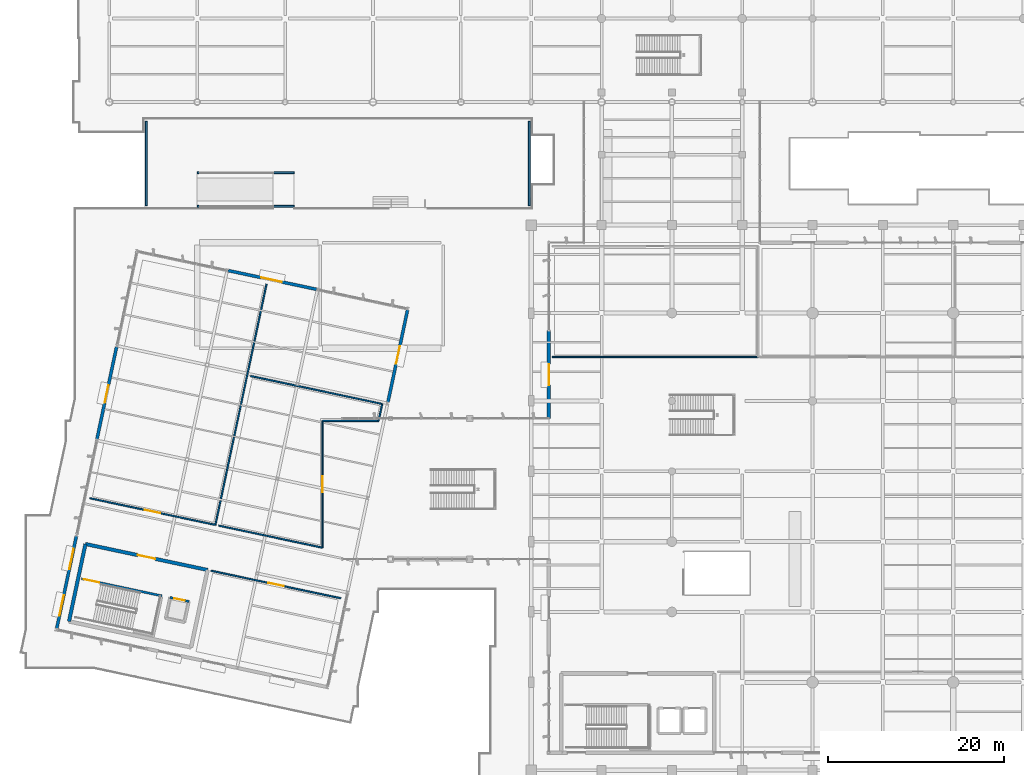
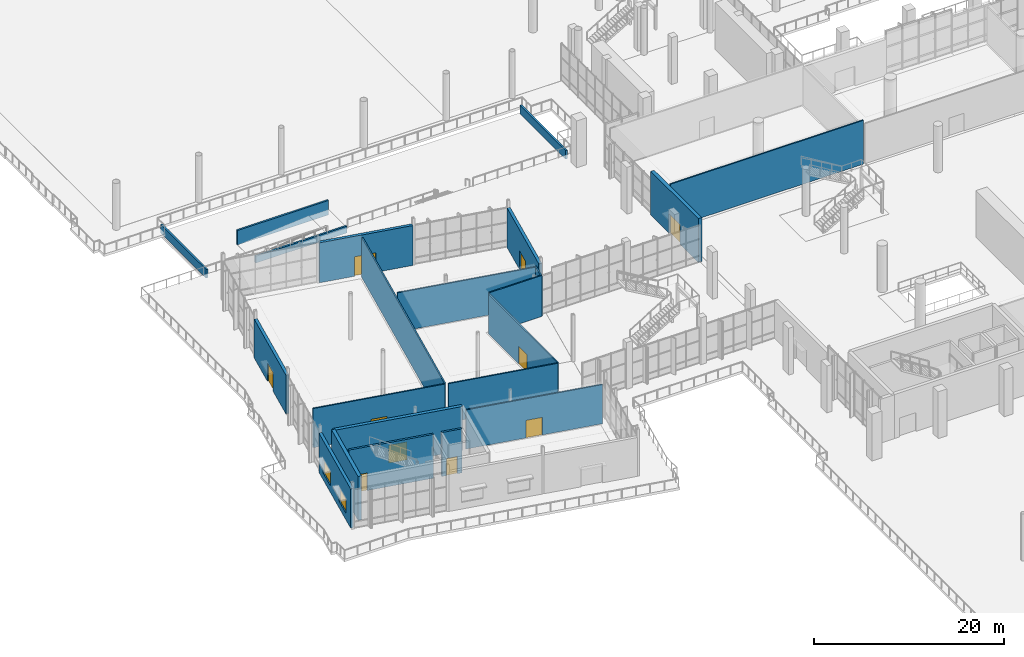
# One storey, part 124 of 163: 22 walls, 10 doors, 2 windows, 12 openings.
"""IFC4 building model written with IfcOpenShell, lengths in metres."""

import ifcopenshell
import ifcopenshell.guid

model = None  # the IFC model being written
_history = None  # IfcOwnerHistory: only IFC2X3 demands one
_inside = {}  # id of a spatial element -> (the spatial element, [elements in it])
_under = {}  # id of a project, library or spatial element -> (it, [spatial elements below it])
_declared = {}  # id of a project -> (the project, [libraries it declares])
_typed = {}  # id of a type object -> (the type object, [elements of that type])
_made_of = {}  # id of a material, layer set ... -> (it, [elements and type objects made of it])


def new_model(schema):
    """Start an empty IFC model of exactly this schema.

    Asked for "IFC4X3", IfcOpenShell would pick the latest addendum, in which some entities
    have other attributes; the version numbers below select the first issue.
    IFC2X3 requires an IfcOwnerHistory on every rooted entity: one is made here for all.
    """
    global model, _history
    if schema == "IFC4X3":
        model = ifcopenshell.file(schema_version=(4, 3, 0, 0))
    else:
        model = ifcopenshell.file(schema=schema)
    _inside.clear()
    _under.clear()
    _declared.clear()
    _typed.clear()
    _made_of.clear()
    _history = None
    if model.schema == "IFC2X3":
        org = make("IfcOrganization", Name="unknown")
        user = make(
            "IfcPersonAndOrganization",
            ThePerson=make("IfcPerson", FamilyName="unknown"),
            TheOrganization=org,
        )
        app = make(
            "IfcApplication",
            ApplicationDeveloper=org,
            Version="unknown",
            ApplicationFullName="unknown",
            ApplicationIdentifier="unknown",
        )
        _history = make(
            "IfcOwnerHistory",
            OwningUser=user,
            OwningApplication=app,
            ChangeAction="ADDED",
            CreationDate=0,
        )
    return model


def make(cls, **values):
    """One entity of the class cls with the attributes given. An attribute that is None is left unset."""
    return model.create_entity(
        cls, **{name: value for name, value in values.items() if value is not None}
    )


def rooted(cls, **values):
    """An entity with a GlobalId (a new one), such as an element, a storey or a relation."""
    return make(cls, GlobalId=ifcopenshell.guid.new(), OwnerHistory=_history, **values)


def si_unit(unit_type, name, prefix=None):
    """IfcSIUnit, for example si_unit("LENGTHUNIT", "METRE", prefix="MILLI")."""
    return make("IfcSIUnit", UnitType=unit_type, Prefix=prefix, Name=name)


def assignment(units):
    """IfcUnitAssignment: the units of a project."""
    return None if units is None else make("IfcUnitAssignment", Units=units)


def point(xyz):
    """IfcCartesianPoint."""
    return None if xyz is None else make("IfcCartesianPoint", Coordinates=xyz)


def direction(xyz):
    """IfcDirection."""
    return None if xyz is None else make("IfcDirection", DirectionRatios=xyz)


def frame(location, z_axis=None, x_axis=None):
    """IfcAxis2Placement3D, a coordinate frame: its origin and axes. An axis left out is left unset."""
    return make(
        "IfcAxis2Placement3D",
        Location=point(location),
        Axis=direction(z_axis),
        RefDirection=direction(x_axis),
    )


def frame_2d(location, x_axis=None):
    """IfcAxis2Placement2D, a coordinate frame in the plane: its origin and x axis."""
    return make(
        "IfcAxis2Placement2D", Location=point(location), RefDirection=direction(x_axis)
    )


def origin():
    """The frame at (0, 0, 0) with its axes left unset."""
    return frame((0.0, 0.0, 0.0))


def place(relative_to, where):
    """IfcLocalPlacement: puts the frame where relative to a parent placement (None: the world)."""
    return make(
        "IfcLocalPlacement", PlacementRelTo=relative_to, RelativePlacement=where
    )


def context(
    kind, dimensions, precision=None, world=None, true_north=None, identifier=None
):
    """IfcGeometricRepresentationContext, for example the 3D "Model" context."""
    return make(
        "IfcGeometricRepresentationContext",
        ContextIdentifier=identifier,
        ContextType=kind,
        CoordinateSpaceDimension=dimensions,
        Precision=precision,
        WorldCoordinateSystem=world,
        TrueNorth=true_north,
    )


def subcontext(parent, identifier, kind, view, scale=None):
    """IfcGeometricRepresentationSubContext, for example "Body" below "Model"."""
    return make(
        "IfcGeometricRepresentationSubContext",
        ContextIdentifier=identifier,
        ContextType=kind,
        ParentContext=parent,
        TargetScale=scale,
        TargetView=view,
    )


def project(units=None, contexts=None):
    """IfcProject with its units and contexts."""
    return rooted(
        "IfcProject",
        Name="project",
        RepresentationContexts=contexts,
        UnitsInContext=assignment(units),
    )


def spatial(cls, under=None, at=None, **own):
    """A site, building, storey or space (cls), placed at a placement, below another one or the project."""
    s = rooted(cls, ObjectPlacement=at, **own)
    if under is not None:
        _under.setdefault(under.id(), (under, []))[1].append(s)
    return s


def profile(cls, at=None, kind="AREA", **sizes):
    """A parametric profile (cls). Its sizes go by their IFC names, for example OverallWidth=200.0."""
    return make(cls, ProfileType=kind, Position=at, **sizes)


def rectangle(**sizes):
    """IfcRectangleProfileDef."""
    return profile("IfcRectangleProfileDef", **sizes)


def extrude(swept, where, along, depth):
    """IfcExtrudedAreaSolid: the profile swept, set in the frame where, extruded along a direction by depth."""
    return make(
        "IfcExtrudedAreaSolid",
        SweptArea=swept,
        Position=where,
        ExtrudedDirection=direction(along),
        Depth=depth,
    )


def shape(context_of_items, identifier, shape_type, items):
    """IfcShapeRepresentation: the items that make up one representation, for example the "Body"."""
    return make(
        "IfcShapeRepresentation",
        ContextOfItems=context_of_items,
        RepresentationIdentifier=identifier,
        RepresentationType=shape_type,
        Items=items,
    )


def material(Name=None, Category=None):
    """IfcMaterial."""
    return make("IfcMaterial", Name=Name, Category=Category)


def layer(
    of_material, thickness, ventilated=None, Name=None, Category=None, Priority=None
):
    """IfcMaterialLayer: one layer of a wall or slab, of a material (None: an air gap)."""
    return make(
        "IfcMaterialLayer",
        Material=of_material,
        LayerThickness=thickness,
        IsVentilated=ventilated,
        Name=Name,
        Category=Category,
        Priority=Priority,
    )


def layer_set(layers, Name=None):
    """IfcMaterialLayerSet."""
    return make("IfcMaterialLayerSet", MaterialLayers=layers, LayerSetName=Name)


def made_of(thing, what):
    """Note that an element or type object is made of a material, layer set ...; save() writes the relation."""
    if what is not None:
        _made_of.setdefault(what.id(), (what, []))[1].append(thing)
    return thing


def type_object(cls, material=None, **own):
    """A type object (cls), such as IfcWallType, which elements share."""
    return made_of(rooted(cls, **own), material)


def element(
    cls,
    number,
    at=None,
    inside=None,
    cuts=None,
    type_object=None,
    material=None,
    context=None,
    identifier="Body",
    shape_type=None,
    held_by="IfcProductDefinitionShape",
    body=None,
    shapes=None,
    **own,
):
    """One element of the class cls, such as IfcWall. Its Tag is "e" and its number.

    at: its placement. inside: the storey or other place that contains it. cuts: it is an
    opening in that element (IfcRelVoidsElement). A single representation is given by context,
    identifier, shape_type and body (its items); several are given by shapes. held_by: the class
    of the entity that holds the representations. save() writes the other relations.
    """
    e = rooted(cls, Tag="e%d" % number, ObjectPlacement=at, **own)
    if body is not None:
        shapes = [shape(context, identifier, shape_type, body)]
    if shapes is not None:
        e.Representation = make(held_by, Representations=shapes)
    if inside is not None:
        _inside.setdefault(inside.id(), (inside, []))[1].append(e)
    if cuts is not None:
        rooted(
            "IfcRelVoidsElement", RelatingBuildingElement=cuts, RelatedOpeningElement=e
        )
    if type_object is not None:
        _typed.setdefault(type_object.id(), (type_object, []))[1].append(e)
    return made_of(e, material)


def fill(opening, filler):
    """IfcRelFillsElement: the door or window that sits in an opening."""
    return rooted(
        "IfcRelFillsElement",
        RelatingOpeningElement=opening,
        RelatedBuildingElement=filler,
    )


def aggregate(whole, parts):
    """IfcRelAggregates: a whole, such as a stair, and the parts it consists of."""
    return rooted("IfcRelAggregates", RelatingObject=whole, RelatedObjects=parts)


def save(model, path):
    """Write the relations noted so far, then the file.

    IfcRelAggregates (storeys below a building ...), IfcRelContainedInSpatialStructure (elements
    in a storey), IfcRelDefinesByType, IfcRelAssociatesMaterial and IfcRelDeclares: one each for
    every whole, place, type object, material and project.
    """
    for whole, parts in _under.values():
        aggregate(whole, parts)
    for where, things in _inside.values():
        rooted(
            "IfcRelContainedInSpatialStructure",
            RelatedElements=things,
            RelatingStructure=where,
        )
    for kind, things in _typed.values():
        rooted("IfcRelDefinesByType", RelatedObjects=things, RelatingType=kind)
    for what, things in _made_of.values():
        rooted("IfcRelAssociatesMaterial", RelatedObjects=things, RelatingMaterial=what)
    for by, libraries in _declared.values():
        rooted("IfcRelDeclares", RelatingContext=by, RelatedDefinitions=libraries)
    model.write(path)


model = new_model("IFC4")

# Units and contexts
model_context = context("Model", 3, precision=1e-05, world=origin(), true_north=direction((0.0, 1.0)))
body_context = subcontext(model_context, "Body", "Model", "MODEL_VIEW")
ifc_project = project(units=[si_unit("LENGTHUNIT", "METRE"), si_unit("AREAUNIT", "SQUARE_METRE"), si_unit("VOLUMEUNIT", "CUBIC_METRE"), si_unit("PLANEANGLEUNIT", "RADIAN"), si_unit("MASSUNIT", "GRAM", prefix="KILO")], contexts=[model_context])

# Site, building, storey
site_placement = place(None, origin())
site = spatial("IfcSite", under=ifc_project, at=site_placement, CompositionType="ELEMENT")
building_placement = place(site_placement, origin())
building = spatial("IfcBuilding", under=site, at=building_placement, Name="Khorjan Park Terminus", CompositionType="ELEMENT")
storey_placement = place(building_placement, origin())
storey = spatial("IfcBuildingStorey", under=building, at=storey_placement, Name="L00", CompositionType="ELEMENT", Elevation=0.0)

# Wall, opening, door
ifc_material_1 = material(Name="Concrete C50/60", Category="concrete")
ifc_layer_1 = layer(ifc_material_1, 0.4)
ifc_layer_set_1 = layer_set([ifc_layer_1], Name="Concrete C50/60")
wall_type_1 = type_object("IfcWallType", Name="CW-40", PredefinedType="SHEAR", material=ifc_layer_set_1)
wall_1_placement = place(storey_placement, frame((11.1842, 48.7753, 0.0), z_axis=(0.0, 0.0, 1.0), x_axis=(-0.978148272054, 0.20790853248, 0.0)))
wall_1 = element("IfcWall", 1, at=wall_1_placement, inside=storey, type_object=wall_type_1, Name="Park Pavilion Exit Core concrete shear wall CW-40 (L00-E3)", PredefinedType="SHEAR", context=body_context, shape_type="SweptSolid", body=[
    extrude(rectangle(XDim=14.2, YDim=0.4, at=frame_2d((7.1, 0.0))), origin(), (0.0, 0.0, 1.0), 5.64),
])
opening_1_placement = place(wall_1_placement, frame((6.1, 0.0, 0.0)))
opening_1 = element("IfcOpeningElement", 2, at=opening_1_placement, cuts=wall_1, Name="Opening FD-20", PredefinedType="OPENING", context=body_context, shape_type="SweptSolid", body=[
    extrude(rectangle(XDim=2.0, YDim=2.3, at=frame_2d((1.0, 1.15))), frame((0.0, 0.21, 0.0), z_axis=(0.0, -1.0, 0.0), x_axis=(1.0, 0.0, 0.0)), (0.0, 0.0, 1.0), 0.42),
])
ifc_material_2 = material(Name="Fire-Rated Steel Double Door", Category="steel")
door_type_1 = type_object("IfcDoorType", Name="FD-20", OperationType="NOTDEFINED", PredefinedType="DOOR", material=ifc_material_2)
door_1_placement = place(opening_1_placement, origin())
door_1 = element("IfcDoor", 3, at=door_1_placement, inside=storey, type_object=door_type_1, Name="Park Pavilion Exit Core fire-rated exit door FD-20 (L00)", OperationType="DOUBLE_DOOR_SINGLE_SWING", OverallHeight=2.3, OverallWidth=2.0, PredefinedType="DOOR", context=body_context, shape_type="SweptSolid", body=[
    extrude(rectangle(XDim=2.0, YDim=2.3, at=frame_2d((1.0, 1.15))), frame((0.0, 0.025, 0.0), z_axis=(0.0, -1.0, 0.0), x_axis=(1.0, 0.0, 0.0)), (0.0, 0.0, 1.0), 0.05),
])
fill(opening_1, door_1)

# Wall
wall_2_placement = place(storey_placement, frame((-2.7055, 51.7276, 0.0), z_axis=(0.0, 0.0, 1.0), x_axis=(-0.20791177806, -0.97814758219, 0.0)))
element("IfcWall", 4, at=wall_2_placement, inside=storey, type_object=wall_type_1, Name="Park Pavilion Exit Core concrete shear wall CW-40 (L00-E4)", PredefinedType="SHEAR", context=body_context, shape_type="SweptSolid", body=[
    extrude(rectangle(XDim=9.0, YDim=0.4, at=frame_2d((4.5, 0.0))), origin(), (0.0, 0.0, 1.0), 5.64),
])

# Wall, opening, door
ifc_material_3 = material(Name="Pigmented Precast GRC & Concrete C40/50", Category="concrete")
ifc_layer_2 = layer(ifc_material_3, 0.35)
ifc_layer_set_2 = layer_set([ifc_layer_2], Name="Pigmented Precast GRC & Concrete C40/50")
wall_type_2 = type_object("IfcWallType", Name="EW-35", PredefinedType="STANDARD", material=ifc_layer_set_2)
wall_3_placement = place(storey_placement, frame((31.6967, 67.8425, 0.0), z_axis=(0.0, 0.0, 1.0), x_axis=(0.207912394772, 0.978147451103, 0.0)))
wall_3 = element("IfcWall", 5, at=wall_3_placement, inside=storey, type_object=wall_type_2, Name="External pigmented-GRC insulated wall EW-35 (EW-V4-E-L00-B04)", PredefinedType="STANDARD", context=body_context, shape_type="SweptSolid", body=[
    extrude(rectangle(XDim=10.7694, YDim=0.35, at=frame_2d((5.3847, 0.0))), origin(), (0.0, 0.0, 1.0), 5.075),
])
opening_2_placement = place(wall_3_placement, frame((4.5, 0.0, 0.0)))
opening_2 = element("IfcOpeningElement", 6, at=opening_2_placement, cuts=wall_3, Name="Opening ED-20", PredefinedType="OPENING", context=body_context, shape_type="SweptSolid", body=[
    extrude(rectangle(XDim=2.0, YDim=2.4, at=frame_2d((1.0, 1.2))), frame((0.0, 0.185, 0.0), z_axis=(0.0, -1.0, 0.0), x_axis=(1.0, 0.0, 0.0)), (0.0, 0.0, 1.0), 0.37),
])
ifc_material_4 = material(Name="Anodized Bronze Aluminium & Safety Glass", Category="aluminium")
door_type_2 = type_object("IfcDoorType", Name="ED-20", OperationType="NOTDEFINED", PredefinedType="DOOR", material=ifc_material_4)
door_2_placement = place(opening_2_placement, origin())
door_2 = element("IfcDoor", 7, at=door_2_placement, inside=storey, type_object=door_type_2, Name="Exterior door ED-20 (DR-EW-V4-E-L00-B04)", OperationType="DOUBLE_DOOR_SINGLE_SWING", OverallHeight=2.4, OverallWidth=2.0, PredefinedType="DOOR", context=body_context, shape_type="SweptSolid", body=[
    extrude(rectangle(XDim=2.0, YDim=2.4, at=frame_2d((1.0, 1.2))), frame((0.0, 0.025, 0.0), z_axis=(0.0, -1.0, 0.0), x_axis=(1.0, 0.0, 0.0)), (0.0, 0.0, 1.0), 0.05),
])
fill(opening_2, door_2)

wall_4_placement = place(storey_placement, frame((23.5864, 80.6942, 0.0), z_axis=(0.0, 0.0, 1.0), x_axis=(-0.978147536905, 0.207911991108, 0.0)))
wall_4 = element("IfcWall", 8, at=wall_4_placement, inside=storey, type_object=wall_type_2, Name="External pigmented-GRC insulated wall EW-35 (EW-V4-N-L00-B02)", PredefinedType="STANDARD", context=body_context, shape_type="SweptSolid", body=[
    extrude(rectangle(XDim=10.2894, YDim=0.35, at=frame_2d((5.1447, 0.0))), origin(), (0.0, 0.0, 1.0), 5.115),
])
opening_3_placement = place(wall_4_placement, frame((4.05, 0.0, 0.0)))
opening_3 = element("IfcOpeningElement", 9, at=opening_3_placement, cuts=wall_4, Name="Opening ED-24", PredefinedType="OPENING", context=body_context, shape_type="SweptSolid", body=[
    extrude(rectangle(XDim=2.4, YDim=2.5, at=frame_2d((1.2, 1.25))), frame((0.0, 0.185, 0.0), z_axis=(0.0, -1.0, 0.0), x_axis=(1.0, 0.0, 0.0)), (0.0, 0.0, 1.0), 0.37),
])
door_type_3 = type_object("IfcDoorType", Name="ED-24", OperationType="NOTDEFINED", PredefinedType="DOOR", material=ifc_material_4)
door_3_placement = place(opening_3_placement, origin())
door_3 = element("IfcDoor", 10, at=door_3_placement, inside=storey, type_object=door_type_3, Name="Exterior door ED-24 (DR-EW-V4-N-L00-B02)", OperationType="DOUBLE_DOOR_SINGLE_SWING", OverallHeight=2.5, OverallWidth=2.4, PredefinedType="DOOR", context=body_context, shape_type="SweptSolid", body=[
    extrude(rectangle(XDim=2.4, YDim=2.5, at=frame_2d((1.2, 1.25))), frame((0.0, 0.025, 0.0), z_axis=(0.0, -1.0, 0.0), x_axis=(1.0, 0.0, 0.0)), (0.0, 0.0, 1.0), 0.05),
])
fill(opening_3, door_3)

wall_5_placement = place(storey_placement, frame((0.8372, 74.1665, 0.0), z_axis=(0.0, 0.0, 1.0), x_axis=(-0.20790428408, -0.978149175055, 0.0)))
wall_5 = element("IfcWall", 11, at=wall_5_placement, inside=storey, type_object=wall_type_2, Name="External pigmented-GRC insulated wall EW-35 (EW-V4-W-L00-B02)", PredefinedType="STANDARD", context=body_context, shape_type="SweptSolid", body=[
    extrude(rectangle(XDim=10.7703, YDim=0.35, at=frame_2d((5.3852, 0.0))), origin(), (0.0, 0.0, 1.0), 4.975),
])
opening_4_placement = place(wall_5_placement, frame((4.5, 0.0, 0.0)))
opening_4 = element("IfcOpeningElement", 12, at=opening_4_placement, cuts=wall_5, Name="Opening ED-20", PredefinedType="OPENING", context=body_context, shape_type="SweptSolid", body=[
    extrude(rectangle(XDim=2.0, YDim=2.4, at=frame_2d((1.0, 1.2))), frame((0.0, 0.185, 0.0), z_axis=(0.0, -1.0, 0.0), x_axis=(1.0, 0.0, 0.0)), (0.0, 0.0, 1.0), 0.37),
])
door_4_placement = place(opening_4_placement, origin())
door_4 = element("IfcDoor", 13, at=door_4_placement, inside=storey, type_object=door_type_2, Name="Exterior door ED-20 (DR-EW-V4-W-L00-B02)", OperationType="DOUBLE_DOOR_SINGLE_SWING", OverallHeight=2.4, OverallWidth=2.0, PredefinedType="DOOR", context=body_context, shape_type="SweptSolid", body=[
    extrude(rectangle(XDim=2.0, YDim=2.4, at=frame_2d((1.0, 1.2))), frame((0.0, 0.025, 0.0), z_axis=(0.0, -1.0, 0.0), x_axis=(1.0, 0.0, 0.0)), (0.0, 0.0, 1.0), 0.05),
])
fill(opening_4, door_4)

# Wall, openings, windows
wall_6_placement = place(storey_placement, frame((-3.7368, 52.6475, 0.0), z_axis=(0.0, 0.0, 1.0), x_axis=(-0.207913167485, -0.978147286857, 0.0)))
wall_6 = element("IfcWall", 14, at=wall_6_placement, inside=storey, type_object=wall_type_2, Name="External pigmented-GRC insulated wall EW-35 (EW-V4-W-L00-B04)", PredefinedType="STANDARD", context=body_context, shape_type="SweptSolid", body=[
    extrude(rectangle(XDim=10.7704, YDim=0.35, at=frame_2d((5.3852, 0.0))), origin(), (0.0, 0.0, 1.0), 5.025),
])
opening_5_placement = place(wall_6_placement, frame((1.4926, 0.0, 0.85)))
opening_5 = element("IfcOpeningElement", 15, at=opening_5_placement, cuts=wall_6, Name="Opening WN-24", PredefinedType="OPENING", context=body_context, shape_type="SweptSolid", body=[
    extrude(rectangle(XDim=2.4, YDim=1.8, at=frame_2d((1.2, 0.9))), frame((0.0, 0.185, 0.0), z_axis=(0.0, -1.0, 0.0), x_axis=(1.0, 0.0, 0.0)), (0.0, 0.0, 1.0), 0.37),
])
opening_6_placement = place(wall_6_placement, frame((6.8778, 0.0, 0.85)))
opening_6 = element("IfcOpeningElement", 16, at=opening_6_placement, cuts=wall_6, Name="Opening WN-24", PredefinedType="OPENING", context=body_context, shape_type="SweptSolid", body=[
    extrude(rectangle(XDim=2.4, YDim=1.8, at=frame_2d((1.2, 0.9))), frame((0.0, 0.185, 0.0), z_axis=(0.0, -1.0, 0.0), x_axis=(1.0, 0.0, 0.0)), (0.0, 0.0, 1.0), 0.37),
])
ifc_material_5 = material(Name="Anodized Bronze Aluminium & Low-E Glass", Category="aluminium")
window_type = type_object("IfcWindowType", Name="WN-24", PartitioningType="SINGLE_PANEL", PredefinedType="WINDOW", material=ifc_material_5)
window_1_placement = place(opening_5_placement, origin())
window_1 = element("IfcWindow", 17, at=window_1_placement, inside=storey, type_object=window_type, Name="Solar-control exterior window WN-24 (WN-EW-V4-W-L00-B04-1)", OverallHeight=1.8, OverallWidth=2.4, PartitioningType="SINGLE_PANEL", PredefinedType="WINDOW", context=body_context, shape_type="SweptSolid", body=[
    extrude(rectangle(XDim=2.4, YDim=1.8, at=frame_2d((1.2, 0.9))), frame((0.0, 0.03, 0.0), z_axis=(0.0, -1.0, 0.0), x_axis=(1.0, 0.0, 0.0)), (0.0, 0.0, 1.0), 0.06),
])
fill(opening_5, window_1)
window_2_placement = place(opening_6_placement, origin())
window_2 = element("IfcWindow", 18, at=window_2_placement, inside=storey, type_object=window_type, Name="Solar-control exterior window WN-24 (WN-EW-V4-W-L00-B04-2)", OverallHeight=1.8, OverallWidth=2.4, PartitioningType="SINGLE_PANEL", PredefinedType="WINDOW", context=body_context, shape_type="SweptSolid", body=[
    extrude(rectangle(XDim=2.4, YDim=1.8, at=frame_2d((1.2, 0.9))), frame((0.0, 0.03, 0.0), z_axis=(0.0, -1.0, 0.0), x_axis=(1.0, 0.0, 0.0)), (0.0, 0.0, 1.0), 0.06),
])
fill(opening_6, window_2)

# Wall, opening, door
ifc_layer_3 = layer(ifc_material_3, 0.42)
ifc_layer_set_3 = layer_set([ifc_layer_3], Name="Pigmented Precast GRC & Concrete C40/50")
wall_type_3 = type_object("IfcWallType", Name="EW-42", PredefinedType="STANDARD", material=ifc_layer_set_3)
wall_7_placement = place(storey_placement, frame((50.0, 76.0, 0.0), z_axis=(0.0, 0.0, 1.0), x_axis=(0.0, -1.0, 0.0)))
wall_7 = element("IfcWall", 19, at=wall_7_placement, inside=storey, type_object=wall_type_3, Name="External pigmented-GRC insulated wall EW-42 (EW-V2-W-L00-04)", PredefinedType="STANDARD", context=body_context, shape_type="SweptSolid", body=[
    extrude(rectangle(XDim=10.0, YDim=0.42, at=frame_2d((5.0, 0.0))), origin(), (0.0, 0.0, 1.0), 5.62),
])
opening_7_placement = place(wall_7_placement, frame((3.8, 0.0, 0.0)))
opening_7 = element("IfcOpeningElement", 20, at=opening_7_placement, cuts=wall_7, Name="Opening ED-24", PredefinedType="OPENING", context=body_context, shape_type="SweptSolid", body=[
    extrude(rectangle(XDim=2.4, YDim=2.5, at=frame_2d((1.2, 1.25))), frame((0.0, 0.22, 0.0), z_axis=(0.0, -1.0, 0.0), x_axis=(1.0, 0.0, 0.0)), (0.0, 0.0, 1.0), 0.44),
])
door_5_placement = place(opening_7_placement, origin())
door_5 = element("IfcDoor", 21, at=door_5_placement, inside=storey, type_object=door_type_3, Name="Exterior door ED-24 (DR-EW-V2-W-L00-04)", OperationType="DOUBLE_DOOR_SINGLE_SWING", OverallHeight=2.5, OverallWidth=2.4, PredefinedType="DOOR", context=body_context, shape_type="SweptSolid", body=[
    extrude(rectangle(XDim=2.4, YDim=2.5, at=frame_2d((1.2, 1.25))), frame((0.0, 0.025, 0.0), z_axis=(0.0, -1.0, 0.0), x_axis=(1.0, 0.0, 0.0)), (0.0, 0.0, 1.0), 0.05),
])
fill(opening_7, door_5)

# Walls
ifc_layer_4 = layer(ifc_material_3, 0.22)
ifc_layer_set_4 = layer_set([ifc_layer_4], Name="Pigmented Precast GRC & Concrete C40/50")
wall_type_4 = type_object("IfcWallType", Name="EW-PAR-220", PredefinedType="PARAPET", material=ifc_layer_set_4)
for number, where, z_axis, x_axis, name in (
    (22, (4.21, 90.23, -0.72), (0.0, 0.0, 1.0), (0.0, 1.0, 0.0), "Approach apron return parapet kerb wall PW-22 (2-80)"),
    (23, (47.79, 99.79, -0.72), (0.0, 0.0, 1.0), (0.0, -1.0, 0.0), "Approach apron return parapet kerb wall PW-22 (2-82)"),
):
    element("IfcWall", number, at=place(storey_placement, frame(where, z_axis=z_axis, x_axis=x_axis)), inside=storey, type_object=wall_type_4, Name=name, PredefinedType="PARAPET", context=body_context, shape_type="SweptSolid", body=[
        extrude(rectangle(XDim=9.56, YDim=0.22, at=frame_2d((4.78, 0.0))), origin(), (0.0, 0.0, 1.0), 1.12),
    ])
wall_8_placement = place(storey_placement, frame((10.0, 90.13, -0.72), z_axis=(0.0, 0.0, 1.0), x_axis=(1.0, 0.0, 0.0)))
element("IfcWall", 24, at=wall_8_placement, inside=storey, type_object=wall_type_4, Name="Accessible ramp cheek wall (GRMP-N-PK-S)", PredefinedType="PARAPET", context=body_context, shape_type="SweptSolid", body=[
    extrude(rectangle(XDim=11.04, YDim=0.22, at=frame_2d((5.52, 0.0))), origin(), (0.0, 0.0, 1.0), 0.87),
])
wall_9_placement = place(storey_placement, frame((10.0, 93.95, -0.72), z_axis=(0.0, 0.0, 1.0), x_axis=(1.0, 0.0, 0.0)))
element("IfcWall", 25, at=wall_9_placement, inside=storey, type_object=wall_type_4, Name="Accessible ramp cheek wall (GRMP-N-PK-N)", PredefinedType="PARAPET", context=body_context, shape_type="SweptSolid", body=[
    extrude(rectangle(XDim=11.04, YDim=0.22, at=frame_2d((5.52, 0.0))), origin(), (0.0, 0.0, 1.0), 1.86),
])
ifc_material_6 = material(Name="Insulated Metal-Stud Acoustic Partition")
ifc_layer_5 = layer(ifc_material_6, 0.16)
ifc_layer_set_5 = layer_set([ifc_layer_5], Name="Insulated Metal-Stud Acoustic Partition")
wall_type_5 = type_object("IfcWallType", Name="PT-16", PredefinedType="PARTITIONING", material=ifc_layer_set_5)
wall_10_placement = place(storey_placement, frame((73.8, 73.0, 0.0), z_axis=(0.0, 0.0, 1.0), x_axis=(-1.0, 0.0, 0.0)))
element("IfcWall", 26, at=wall_10_placement, inside=storey, type_object=wall_type_5, Name="Interior acoustic partition PT-16 (L00-RET1)", PredefinedType="PARTITIONING", context=body_context, shape_type="SweptSolid", body=[
    extrude(rectangle(XDim=23.4, YDim=0.16, at=frame_2d((11.7, 0.0))), origin(), (0.0, 0.0, 1.0), 5.62),
])
wall_11_placement = place(storey_placement, frame((17.8912, 81.2913, 0.0), z_axis=(0.0, 0.0, 1.0), x_axis=(-0.207910994878, -0.97814774866, 0.0)))
element("IfcWall", 27, at=wall_11_placement, inside=storey, type_object=wall_type_5, Name="Interior acoustic partition PT-16 (L00-PAV-CAF)", PredefinedType="PARTITIONING", context=body_context, shape_type="SweptSolid", body=[
    extrude(rectangle(XDim=28.0, YDim=0.16, at=frame_2d((14.0, 0.0))), origin(), (0.0, 0.0, 1.0), 5.115),
])

# Wall, opening, door
wall_12_placement = place(storey_placement, frame((12.0697, 53.9032, 0.0), z_axis=(0.0, 0.0, 1.0), x_axis=(-0.978147882902, 0.207910363318, 0.0)))
wall_12 = element("IfcWall", 28, at=wall_12_placement, inside=storey, type_object=wall_type_5, Name="Interior acoustic partition PT-16 (L00-PAV-CAF)", PredefinedType="PARTITIONING", context=body_context, shape_type="SweptSolid", body=[
    extrude(rectangle(XDim=14.6, YDim=0.16, at=frame_2d((7.3, 0.0))), origin(), (0.0, 0.0, 1.0), 5.015),
])
opening_8_placement = place(wall_12_placement, frame((6.4, 0.0, 0.0)))
opening_8 = element("IfcOpeningElement", 29, at=opening_8_placement, cuts=wall_12, Name="Opening ID-18", PredefinedType="OPENING", context=body_context, shape_type="SweptSolid", body=[
    extrude(rectangle(XDim=1.8, YDim=2.25, at=frame_2d((0.9, 1.125))), frame((0.0, 0.09, 0.0), z_axis=(0.0, -1.0, 0.0), x_axis=(1.0, 0.0, 0.0)), (0.0, 0.0, 1.0), 0.18),
])
ifc_material_7 = material(Name="Acoustic Hardwood & Vision-Lite Double Door", Category="wood")
door_type_4 = type_object("IfcDoorType", Name="ID-18", OperationType="NOTDEFINED", PredefinedType="DOOR", material=ifc_material_7)
door_6_placement = place(opening_8_placement, origin())
door_6 = element("IfcDoor", 30, at=door_6_placement, inside=storey, type_object=door_type_4, Name="Interior door ID-18 (L00-PAV-CAF)", OperationType="DOUBLE_DOOR_SINGLE_SWING", OverallHeight=2.25, OverallWidth=1.8, PredefinedType="DOOR", context=body_context, shape_type="SweptSolid", body=[
    extrude(rectangle(XDim=1.8, YDim=2.25, at=frame_2d((0.9, 1.125))), frame((0.0, 0.025, 0.0), z_axis=(0.0, -1.0, 0.0), x_axis=(1.0, 0.0, 0.0)), (0.0, 0.0, 1.0), 0.05),
])
fill(opening_8, door_6)

# Walls
wall_13_placement = place(storey_placement, frame((31.0443, 67.6588, 0.0), z_axis=(0.0, 0.0, 1.0), x_axis=(-0.207934355413, -0.978142782951, 0.0)))
element("IfcWall", 31, at=wall_13_placement, inside=storey, type_object=wall_type_5, Name="Interior acoustic partition PT-16 (L00-PAV-BKR)", PredefinedType="PARTITIONING", context=body_context, shape_type="SweptSolid", body=[
    extrude(rectangle(XDim=1.9617, YDim=0.16, at=frame_2d((0.9808, 0.0))), origin(), (0.0, 0.0, 1.0), 5.115),
])
wall_14_placement = place(storey_placement, frame((30.6364, 65.74, 0.0), z_axis=(0.0, 0.0, 1.0), x_axis=(-1.0, 0.0, 0.0)))
element("IfcWall", 32, at=wall_14_placement, inside=storey, type_object=wall_type_5, Name="Interior acoustic partition PT-16 (L00-PAV-BKR)", PredefinedType="PARTITIONING", context=body_context, shape_type="SweptSolid", body=[
    extrude(rectangle(XDim=6.3764, YDim=0.16, at=frame_2d((3.1882, 0.0))), origin(), (0.0, 0.0, 1.0), 5.255),
])

# Wall, opening, door
wall_15_placement = place(storey_placement, frame((24.26, 65.74, 0.0), z_axis=(0.0, 0.0, 1.0), x_axis=(0.0, -1.0, 0.0)))
wall_15 = element("IfcWall", 33, at=wall_15_placement, inside=storey, type_object=wall_type_5, Name="Interior acoustic partition PT-16 (L00-PAV-BKR)", PredefinedType="PARTITIONING", context=body_context, shape_type="SweptSolid", body=[
    extrude(rectangle(XDim=14.4279, YDim=0.16, at=frame_2d((7.2139, 0.0))), origin(), (0.0, 0.0, 1.0), 5.075),
])
opening_9_placement = place(wall_15_placement, frame((6.3139, 0.0, 0.0)))
opening_9 = element("IfcOpeningElement", 34, at=opening_9_placement, cuts=wall_15, Name="Opening ID-18", PredefinedType="OPENING", context=body_context, shape_type="SweptSolid", body=[
    extrude(rectangle(XDim=1.8, YDim=2.25, at=frame_2d((0.9, 1.125))), frame((0.0, 0.09, 0.0), z_axis=(0.0, -1.0, 0.0), x_axis=(1.0, 0.0, 0.0)), (0.0, 0.0, 1.0), 0.18),
])
door_7_placement = place(opening_9_placement, origin())
door_7 = element("IfcDoor", 35, at=door_7_placement, inside=storey, type_object=door_type_4, Name="Interior door ID-18 (L00-PAV-BKR)", OperationType="DOUBLE_DOOR_SINGLE_SWING", OverallHeight=2.25, OverallWidth=1.8, PredefinedType="DOOR", context=body_context, shape_type="SweptSolid", body=[
    extrude(rectangle(XDim=1.8, YDim=2.25, at=frame_2d((0.9, 1.125))), frame((0.0, 0.025, 0.0), z_axis=(0.0, -1.0, 0.0), x_axis=(1.0, 0.0, 0.0)), (0.0, 0.0, 1.0), 0.05),
])
fill(opening_9, door_7)

# Walls
wall_16_placement = place(storey_placement, frame((24.26, 51.3121, 0.0), z_axis=(0.0, 0.0, 1.0), x_axis=(-0.978147198247, 0.207913584359, 0.0)))
element("IfcWall", 36, at=wall_16_placement, inside=storey, type_object=wall_type_5, Name="Interior acoustic partition PT-16 (L00-PAV-BKR)", PredefinedType="PARTITIONING", context=body_context, shape_type="SweptSolid", body=[
    extrude(rectangle(XDim=12.0627, YDim=0.16, at=frame_2d((6.0313, 0.0))), origin(), (0.0, 0.0, 1.0), 4.975),
])
wall_17_placement = place(storey_placement, frame((16.0786, 70.8398, 0.0), z_axis=(0.0, 0.0, 1.0), x_axis=(0.978148368142, -0.207908080414, 0.0)))
element("IfcWall", 37, at=wall_17_placement, inside=storey, type_object=wall_type_5, Name="Interior acoustic partition PT-16 (L00-PAV-BKR)", PredefinedType="PARTITIONING", context=body_context, shape_type="SweptSolid", body=[
    extrude(rectangle(XDim=15.3, YDim=0.16, at=frame_2d((7.65, 0.0))), origin(), (0.0, 0.0, 1.0), 5.025),
])

# Wall, opening, door
wall_18_placement = place(storey_placement, frame((11.5754, 48.6921, 0.0), z_axis=(0.0, 0.0, 1.0), x_axis=(0.978147353885, -0.207912852149, 0.0)))
wall_18 = element("IfcWall", 38, at=wall_18_placement, inside=storey, type_object=wall_type_5, Name="Interior acoustic partition PT-16 (L00-PAV-FLR)", PredefinedType="PARTITIONING", context=body_context, shape_type="SweptSolid", body=[
    extrude(rectangle(XDim=15.1001, YDim=0.16, at=frame_2d((7.55, 0.0))), origin(), (0.0, 0.0, 1.0), 5.015),
])
opening_10_placement = place(wall_18_placement, frame((6.65, 0.0, 0.0)))
opening_10 = element("IfcOpeningElement", 39, at=opening_10_placement, cuts=wall_18, Name="Opening ID-18", PredefinedType="OPENING", context=body_context, shape_type="SweptSolid", body=[
    extrude(rectangle(XDim=1.8, YDim=2.25, at=frame_2d((0.9, 1.125))), frame((0.0, 0.09, 0.0), z_axis=(0.0, -1.0, 0.0), x_axis=(1.0, 0.0, 0.0)), (0.0, 0.0, 1.0), 0.18),
])
door_8_placement = place(opening_10_placement, origin())
door_8 = element("IfcDoor", 40, at=door_8_placement, inside=storey, type_object=door_type_4, Name="Interior door ID-18 (L00-PAV-FLR)", OperationType="DOUBLE_DOOR_SINGLE_SWING", OverallHeight=2.25, OverallWidth=1.8, PredefinedType="DOOR", context=body_context, shape_type="SweptSolid", body=[
    extrude(rectangle(XDim=1.8, YDim=2.25, at=frame_2d((0.9, 1.125))), frame((0.0, 0.025, 0.0), z_axis=(0.0, -1.0, 0.0), x_axis=(1.0, 0.0, 0.0)), (0.0, 0.0, 1.0), 0.05),
])
fill(opening_10, door_8)

ifc_material_8 = material(Name="Concrete C40/50", Category="concrete")
ifc_layer_6 = layer(ifc_material_8, 0.25)
ifc_layer_set_6 = layer_set([ifc_layer_6], Name="Concrete C40/50")
wall_type_6 = type_object("IfcWallType", Name="SW-25", PredefinedType="SOLIDWALL", material=ifc_layer_set_6)
wall_19_placement = place(storey_placement, frame((9.0816, 45.184, 0.0), z_axis=(0.0, 0.0, 1.0), x_axis=(-0.978150567781, 0.207897731466, 0.0)))
wall_19 = element("IfcWall", 41, at=wall_19_placement, inside=storey, type_object=wall_type_6, Name="Lift L11 concrete shaft wall SW-25 (L00-3)", PredefinedType="SOLIDWALL", context=body_context, shape_type="SweptSolid", body=[
    extrude(rectangle(XDim=2.24, YDim=0.25, at=frame_2d((1.12, 0.0))), origin(), (0.0, 0.0, 1.0), 5.64),
])
opening_11_placement = place(wall_19_placement, frame((0.52, 0.0, 0.0)))
opening_11 = element("IfcOpeningElement", 42, at=opening_11_placement, cuts=wall_19, Name="Opening LD-12", PredefinedType="OPENING", context=body_context, shape_type="SweptSolid", body=[
    extrude(rectangle(XDim=1.2, YDim=2.2, at=frame_2d((0.6, 1.1))), frame((0.0, 0.135, 0.0), z_axis=(0.0, -1.0, 0.0), x_axis=(1.0, 0.0, 0.0)), (0.0, 0.0, 1.0), 0.27),
])
ifc_material_9 = material(Name="Stainless-Steel Lift Landing Sliding Door", Category="steel")
door_type_5 = type_object("IfcDoorType", Name="LD-12", OperationType="NOTDEFINED", PredefinedType="DOOR", material=ifc_material_9)
door_9_placement = place(opening_11_placement, origin())
door_9 = element("IfcDoor", 43, at=door_9_placement, inside=storey, type_object=door_type_5, Name="Lift L11 sliding landing door LD-12 (L00)", OperationType="SLIDING_TO_RIGHT", OverallHeight=2.2, OverallWidth=1.2, PredefinedType="DOOR", context=body_context, shape_type="SweptSolid", body=[
    extrude(rectangle(XDim=1.2, YDim=2.2, at=frame_2d((0.6, 1.1))), frame((0.0, 0.025, 0.0), z_axis=(0.0, -1.0, 0.0), x_axis=(1.0, 0.0, 0.0)), (0.0, 0.0, 1.0), 0.05),
])
fill(opening_11, door_9)

wall_20_placement = place(storey_placement, frame((-3.1582, 47.7703, 0.0), z_axis=(0.0, 0.0, 1.0), x_axis=(0.978146230105, -0.207918139013, 0.0)))
wall_20 = element("IfcWall", 44, at=wall_20_placement, inside=storey, type_object=wall_type_6, Name="Park Pavilion Exit Core structural stairwell wall SW-25 (L00)", PredefinedType="SOLIDWALL", context=body_context, shape_type="SweptSolid", body=[
    extrude(rectangle(XDim=9.345, YDim=0.25, at=frame_2d((4.6725, 0.0))), origin(), (0.0, 0.0, 1.0), 5.62),
])
opening_12_placement = place(wall_20_placement, frame((0.25, 0.0, 0.0)))
opening_12 = element("IfcOpeningElement", 45, at=opening_12_placement, cuts=wall_20, Name="Opening FD-18", PredefinedType="OPENING", context=body_context, shape_type="SweptSolid", body=[
    extrude(rectangle(XDim=1.8, YDim=2.25, at=frame_2d((0.9, 1.125))), frame((0.0, 0.135, 0.0), z_axis=(0.0, -1.0, 0.0), x_axis=(1.0, 0.0, 0.0)), (0.0, 0.0, 1.0), 0.27),
])
door_type_6 = type_object("IfcDoorType", Name="FD-18", OperationType="NOTDEFINED", PredefinedType="DOOR", material=ifc_material_2)
door_10_placement = place(opening_12_placement, origin())
door_10 = element("IfcDoor", 46, at=door_10_placement, inside=storey, type_object=door_type_6, Name="Park Pavilion Exit Core stairwell fire door FD-18 (L00)", OperationType="DOUBLE_DOOR_SINGLE_SWING", OverallHeight=2.25, OverallWidth=1.8, PredefinedType="DOOR", context=body_context, shape_type="SweptSolid", body=[
    extrude(rectangle(XDim=1.8, YDim=2.25, at=frame_2d((0.9, 1.125))), frame((0.0, 0.025, 0.0), z_axis=(0.0, -1.0, 0.0), x_axis=(1.0, 0.0, 0.0)), (0.0, 0.0, 1.0), 0.05),
])
fill(opening_12, door_10)

save(model, "model.ifc")
